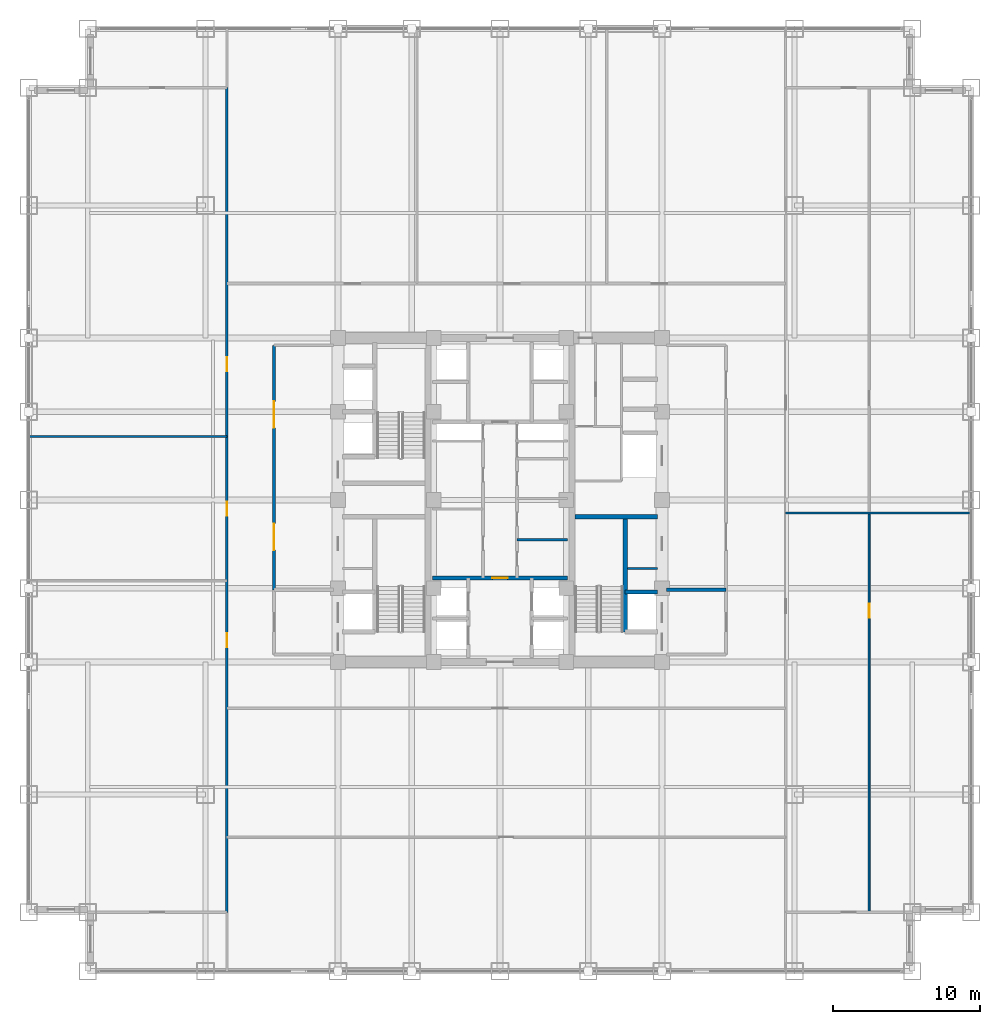
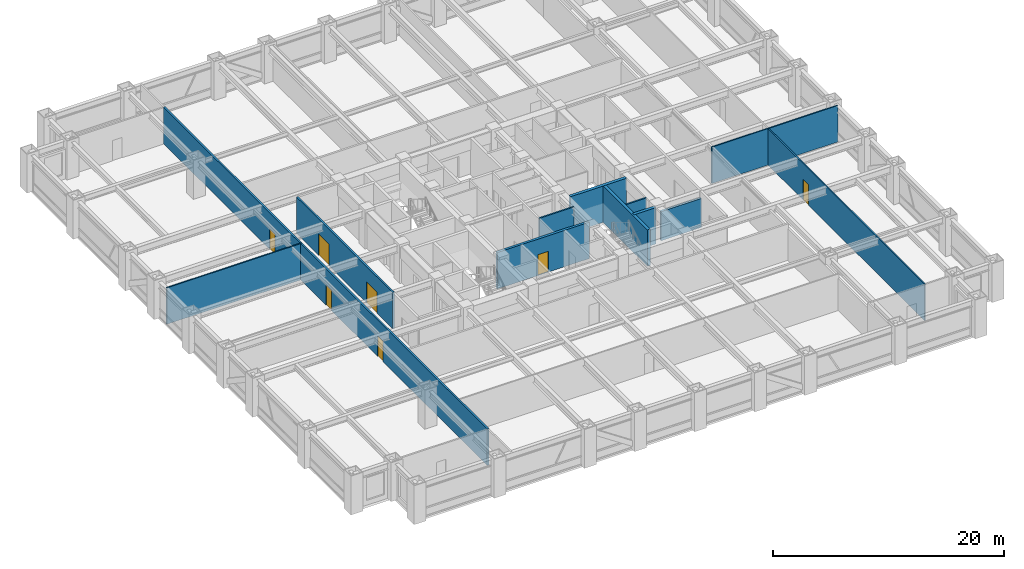
# One storey, part 24 of 28: 12 walls, 7 doors, 7 openings.
"""IFC4 building model written with IfcOpenShell, lengths in metres."""

from ifc_helpers import new_model, si_unit, direction, frame, frame_2d, origin, place, context, subcontext, project, spatial, rectangle, extrude, source, transform, mapped, material, layer, layer_set, type_object, element, fill, save


model = new_model("IFC4")

# Units and contexts
model_context = context("Model", 3, precision=1e-05, world=origin(), true_north=direction((0.0, 1.0)))
body_context = subcontext(model_context, "Body", "Model", "MODEL_VIEW")
ifc_project = project(units=[si_unit("LENGTHUNIT", "METRE"), si_unit("AREAUNIT", "SQUARE_METRE"), si_unit("VOLUMEUNIT", "CUBIC_METRE"), si_unit("PLANEANGLEUNIT", "RADIAN"), si_unit("MASSUNIT", "GRAM", prefix="KILO")], contexts=[model_context])

# Site, building, storey
site_placement = place(None, origin())
site = spatial("IfcSite", under=ifc_project, at=site_placement, CompositionType="ELEMENT")
building_placement = place(site_placement, origin())
building = spatial("IfcBuilding", under=site, at=building_placement, Name="Khorayat Bourse Tower", CompositionType="ELEMENT")
storey_placement = place(building_placement, frame((0.0, 0.0, 124.199951171875)))
storey = spatial("IfcBuildingStorey", under=building, at=storey_placement, Name="L28", CompositionType="ELEMENT", Elevation=124.199951171875)

# Walls
ifc_material_1 = material(Name="Concrete C50/60", Category="concrete")
ifc_layer_1 = layer(ifc_material_1, 0.300048828125)
ifc_layer_set_1 = layer_set([ifc_layer_1], Name="Concrete C50/60")
wall_type_1 = type_object("IfcWallType", Name="WAL-SHAFT-300", PredefinedType="SHEAR", material=ifc_layer_set_1)
shared_shape_1 = source(origin(), body_context, "Body", "SweptSolid", [
    extrude(rectangle(XDim=5.599853515625, YDim=0.300048828125, at=frame_2d((2.7998046875, 0.0))), origin(), (0.0, 0.0, 1.0), 3.840087890625),
])
wall_1_placement = place(storey_placement, frame((5.10009765625, -1.14990234375, 0.0), z_axis=(0.0, 0.0, 1.0), x_axis=(1.0, 0.0, 0.0)))
element("IfcWall", 1, at=wall_1_placement, inside=storey, type_object=wall_type_1, Name="L28 Core Shear Wall ST3-DIV", PredefinedType="SHEAR", context=body_context, shape_type="MappedRepresentation", body=[
    mapped(shared_shape_1, transform((0.0, 0.0, 0.0), scale=1.0)),
])
shared_shape_2 = source(origin(), body_context, "Body", "SweptSolid", [
    extrude(rectangle(XDim=7.800048828125, YDim=0.300048828125, at=frame_2d((3.89990234375, 0.0))), origin(), (0.0, 0.0, 1.0), 3.840087890625),
])
wall_2_placement = place(storey_placement, frame((8.5, -8.949951171875, 0.0), z_axis=(0.0, 0.0, 1.0), x_axis=(0.0, 1.0, 0.0)))
element("IfcWall", 2, at=wall_2_placement, inside=storey, type_object=wall_type_1, Name="L28 Partition WAL-L28-EPIER-SP", PredefinedType="SHEAR", context=body_context, shape_type="MappedRepresentation", body=[
    mapped(shared_shape_2, transform((0.0, 0.0, 0.0), scale=1.0)),
])
shared_shape_3 = source(origin(), body_context, "Body", "SweptSolid", [
    extrude(rectangle(XDim=2.199951171875, YDim=0.300048828125, at=frame_2d((1.10009765625, 0.0))), origin(), (0.0, 0.0, 1.0), 3.840087890625),
])
wall_3_placement = place(storey_placement, frame((8.5, -6.25, 0.0), z_axis=(0.0, 0.0, 1.0), x_axis=(1.0, 0.0, 0.0)))
element("IfcWall", 3, at=wall_3_placement, inside=storey, type_object=wall_type_1, Name="L28 Partition WAL-L28-EPIER-FF2N", PredefinedType="SHEAR", context=body_context, shape_type="MappedRepresentation", body=[
    mapped(shared_shape_3, transform((0.0, 0.0, 0.0), scale=1.0)),
])
ifc_material_2 = material(Name="Gypsum plasterboard twin-frame partition")
ifc_layer_2 = layer(ifc_material_2, 0.14990234375)
ifc_layer_set_2 = layer_set([ifc_layer_2], Name="Gypsum plasterboard twin-frame partition")
wall_type_2 = type_object("IfcWallType", Name="WAL-PART-SUITE-150", PredefinedType="PARTITIONING", material=ifc_layer_set_2)
shared_shape_4 = source(origin(), body_context, "Body", "SweptSolid", [
    extrude(rectangle(XDim=2.050048828125, YDim=0.14990234375, at=frame_2d((1.02490234375, 0.0))), origin(), (0.0, 0.0, 1.0), 3.840087890625),
])
wall_4_placement = place(storey_placement, frame((8.64990234375, -4.64990234375, 0.0), z_axis=(0.0, 0.0, 1.0), x_axis=(1.0, 0.0, 0.0)))
element("IfcWall", 4, at=wall_4_placement, inside=storey, type_object=wall_type_2, Name="L28 Partition WAL-L28-ESRV-S0", PredefinedType="PARTITIONING", context=body_context, shape_type="MappedRepresentation", body=[
    mapped(shared_shape_4, transform((0.0, 0.0, 0.0), scale=1.0)),
])
ifc_material_3 = material(Name="Aerated concrete blockwork", Category="masonry")
ifc_layer_3 = layer(ifc_material_3, 0.219970703125)
ifc_layer_set_3 = layer_set([ifc_layer_3], Name="Aerated concrete blockwork")
wall_type_3 = type_object("IfcWallType", Name="WAL-PART-FF-220", PredefinedType="PARTITIONING", material=ifc_layer_set_3)
shared_shape_5 = source(origin(), body_context, "Body", "SweptSolid", [
    extrude(rectangle(XDim=4.050048828125, YDim=0.219970703125, at=frame_2d((2.02490234375, 0.0))), origin(), (0.0, 0.0, 1.0), 3.067138671875),
])
wall_5_placement = place(storey_placement, frame((11.300048828125, -6.10009765625, 0.0), z_axis=(0.0, 0.0, 1.0), x_axis=(1.0, 0.0, 0.0)))
element("IfcWall", 5, at=wall_5_placement, inside=storey, type_object=wall_type_3, Name="L28 Partition WAL-L28-FFLE-N", PredefinedType="PARTITIONING", context=body_context, shape_type="MappedRepresentation", body=[
    mapped(shared_shape_5, transform((0.0, 0.0, 0.0), scale=1.0)),
])

# Wall, openings, doors
ifc_material_4 = material(Name="Gypsum plasterboard acoustic stud wall")
ifc_layer_4 = layer(ifc_material_4, 0.179931640625)
ifc_layer_set_4 = layer_set([ifc_layer_4], Name="Gypsum plasterboard acoustic stud wall")
wall_type_4 = type_object("IfcWallType", Name="WAL-PART-CORR-180", PredefinedType="PARTITIONING", material=ifc_layer_set_4)
shared_shape_6 = source(origin(), body_context, "Body", "SweptSolid", [
    extrude(rectangle(XDim=16.60009765625, YDim=0.179931640625, at=frame_2d((8.300048828125, 0.0))), origin(), (0.0, 0.0, 1.0), 3.840087890625),
])
wall_6_placement = place(storey_placement, frame((-15.35009765625, -6.10009765625, 0.0), z_axis=(0.0, 0.0, 1.0), x_axis=(0.0, 1.0, 0.0)))
wall_6 = element("IfcWall", 6, at=wall_6_placement, inside=storey, type_object=wall_type_4, Name="L28 Partition WAL-L28-WLOB-W", PredefinedType="PARTITIONING", context=body_context, shape_type="MappedRepresentation", body=[
    mapped(shared_shape_6, transform((0.0, 0.0, 0.0), scale=1.0)),
])
shared_shape_7 = source(origin(), body_context, "Body", "SweptSolid", [
    extrude(rectangle(XDim=1.800048828125, YDim=2.25, at=frame_2d((0.89990234375, 1.125))), frame((0.0, 0.099853515625, 0.0), z_axis=(0.0, -1.0, 0.0), x_axis=(1.0, 0.0, 0.0)), (0.0, 0.0, 1.0), 0.199951171875),
])
opening_1_placement = place(wall_6_placement, frame((2.699951171875, 0.0, 0.0)))
opening_1 = element("IfcOpeningElement", 7, at=opening_1_placement, cuts=wall_6, Name="Opening DI-03", PredefinedType="OPENING", context=body_context, shape_type="MappedRepresentation", body=[
    mapped(shared_shape_7, transform((0.0, 0.0, 0.0), scale=1.0)),
])
opening_2_placement = place(wall_6_placement, frame((11.0, 0.0, 0.0)))
opening_2 = element("IfcOpeningElement", 8, at=opening_2_placement, cuts=wall_6, Name="Opening DI-03", PredefinedType="OPENING", context=body_context, shape_type="MappedRepresentation", body=[
    mapped(shared_shape_7, transform((0.0, 0.0, 0.0), scale=1.0)),
])
ifc_material_5 = material(Name="Fire-rated hardwood vision-panel double leaf", Category="wood")
door_type_1 = type_object("IfcDoorType", Name="DR-INT-CORR-1800", OperationType="NOTDEFINED", PredefinedType="DOOR", material=ifc_material_5)
shared_shape_8 = source(origin(), body_context, "Body", "SweptSolid", [
    extrude(rectangle(XDim=1.800048828125, YDim=2.25, at=frame_2d((0.89990234375, 1.125))), frame((0.0, 0.02490234375, 0.0), z_axis=(0.0, -1.0, 0.0), x_axis=(1.0, 0.0, 0.0)), (0.0, 0.0, 1.0), 0.050048828125),
])
door_1_placement = place(opening_1_placement, origin())
door_1 = element("IfcDoor", 9, at=door_1_placement, inside=storey, type_object=door_type_1, Name="L28 West Core Lobby South Door", OperationType="SINGLE_SWING_LEFT", OverallHeight=2.25, OverallWidth=1.800048828125, PredefinedType="DOOR", context=body_context, shape_type="MappedRepresentation", body=[
    mapped(shared_shape_8, transform((0.0, 0.0, 0.0), scale=1.0)),
])
fill(opening_1, door_1)
door_2_placement = place(opening_2_placement, origin())
door_2 = element("IfcDoor", 10, at=door_2_placement, inside=storey, type_object=door_type_1, Name="L28 West Core Lobby North Door", OperationType="SINGLE_SWING_RIGHT", OverallHeight=2.25, OverallWidth=1.800048828125, PredefinedType="DOOR", context=body_context, shape_type="MappedRepresentation", body=[
    mapped(shared_shape_8, transform((0.0, 0.0, 0.0), scale=1.0)),
])
fill(opening_2, door_2)

# Wall, opening, door
shared_shape_9 = source(origin(), body_context, "Body", "SweptSolid", [
    extrude(rectangle(XDim=9.2001953125, YDim=0.25, at=frame_2d((4.60009765625, 0.0))), origin(), (0.0, 0.0, 1.0), 3.840087890625),
])
wall_7_placement = place(storey_placement, frame((-4.60009765625, -5.300048828125, 0.0), z_axis=(0.0, 0.0, 1.0), x_axis=(1.0, 0.0, 0.0)))
wall_7 = element("IfcWall", 11, at=wall_7_placement, inside=storey, type_object=wall_type_1, Name="L28 Partition WAL-L28-B1-N", PredefinedType="SHEAR", context=body_context, shape_type="MappedRepresentation", body=[
    mapped(shared_shape_9, transform((0.0, 0.0, 0.0), scale=1.0)),
])
shared_shape_10 = source(origin(), body_context, "Body", "SweptSolid", [
    extrude(rectangle(XDim=1.050048828125, YDim=2.199951171875, at=frame_2d((0.52490234375, 1.10009765625))), frame((0.0, 0.135009765625, 0.0), z_axis=(0.0, -1.0, 0.0), x_axis=(1.0, 0.0, 0.0)), (0.0, 0.0, 1.0), 0.27001953125),
])
opening_3_placement = place(wall_7_placement, frame((4.074951171875, 0.0, 0.0)))
opening_3 = element("IfcOpeningElement", 12, at=opening_3_placement, cuts=wall_7, Name="Opening DI-04", PredefinedType="OPENING", context=body_context, shape_type="MappedRepresentation", body=[
    mapped(shared_shape_10, transform((0.0, 0.0, 0.0), scale=1.0)),
])
ifc_material_6 = material(Name="Fire-rated oak veneer suite entrance door")
door_type_2 = type_object("IfcDoorType", Name="DR-INT-SUITE-1050", OperationType="NOTDEFINED", PredefinedType="DOOR", material=ifc_material_6)
shared_shape_11 = source(origin(), body_context, "Body", "SweptSolid", [
    extrude(rectangle(XDim=1.050048828125, YDim=2.199951171875, at=frame_2d((0.52490234375, 1.10009765625))), frame((0.0, 0.02490234375, 0.0), z_axis=(0.0, -1.0, 0.0), x_axis=(1.0, 0.0, 0.0)), (0.0, 0.0, 1.0), 0.050048828125),
])
door_3_placement = place(opening_3_placement, origin())
door_3 = element("IfcDoor", 13, at=door_3_placement, inside=storey, type_object=door_type_2, Name="L28 Core Spine South Door", OperationType="SINGLE_SWING_LEFT", OverallHeight=2.199951171875, OverallWidth=1.050048828125, PredefinedType="DOOR", context=body_context, shape_type="MappedRepresentation", body=[
    mapped(shared_shape_11, transform((0.0, 0.0, 0.0), scale=1.0)),
])
fill(opening_3, door_3)

# Walls
ifc_material_7 = material(Name="Moisture-resistant masonry partition", Category="masonry")
ifc_layer_5 = layer(ifc_material_7, 0.139892578125)
ifc_layer_set_5 = layer_set([ifc_layer_5], Name="Moisture-resistant masonry partition")
wall_type_5 = type_object("IfcWallType", Name="WAL-PART-WET-140", PredefinedType="PARTITIONING", material=ifc_layer_set_5)
shared_shape_12 = source(origin(), body_context, "Body", "SweptSolid", [
    extrude(rectangle(XDim=3.4501953125, YDim=0.139892578125, at=frame_2d((1.72509765625, 0.0))), origin(), (0.0, 0.0, 1.0), 3.840087890625),
])
wall_8_placement = place(storey_placement, frame((1.14990234375, -2.699951171875, 0.0), z_axis=(0.0, 0.0, 1.0), x_axis=(1.0, 0.0, 0.0)))
element("IfcWall", 14, at=wall_8_placement, inside=storey, type_object=wall_type_5, Name="L28 Partition WAL-L28-CME-D1", PredefinedType="PARTITIONING", context=body_context, shape_type="MappedRepresentation", body=[
    mapped(shared_shape_12, transform((0.0, 0.0, 0.0), scale=1.0)),
])
ifc_material_8 = material(Name="Gypsum plasterboard partition")
ifc_layer_6 = layer(ifc_material_8, 0.125)
ifc_layer_set_6 = layer_set([ifc_layer_6], Name="Gypsum plasterboard partition")
wall_type_6 = type_object("IfcWallType", Name="WAL-PART-ROOM-125", PredefinedType="PARTITIONING", material=ifc_layer_set_6)
shared_shape_13 = source(origin(), body_context, "Body", "SweptSolid", [
    extrude(rectangle(XDim=12.60009765625, YDim=0.125, at=frame_2d((6.300048828125, 0.0))), origin(), (0.0, 0.0, 1.0), 3.840087890625),
])
wall_9_placement = place(storey_placement, frame((19.39990234375, -0.87890625, 0.0), z_axis=(0.0, 0.0, 1.0), x_axis=(1.0, 0.0, 0.0)))
element("IfcWall", 15, at=wall_9_placement, inside=storey, type_object=wall_type_6, Name="L28 Partition WAL-L28-EDV-1", PredefinedType="PARTITIONING", context=body_context, shape_type="MappedRepresentation", body=[
    mapped(shared_shape_13, transform((0.0, 0.0, 0.0), scale=1.0)),
])

# Wall, openings, doors
shared_shape_14 = source(origin(), body_context, "Body", "SweptSolid", [
    extrude(rectangle(XDim=56.0, YDim=0.179931640625, at=frame_2d((28.0, 0.0))), origin(), (0.0, 0.0, 1.0), 3.840087890625),
])
wall_10_placement = place(storey_placement, frame((-18.550048828125, -28.0, 0.0), z_axis=(0.0, 0.0, 1.0), x_axis=(0.0, 1.0, 0.0)))
wall_10 = element("IfcWall", 16, at=wall_10_placement, inside=storey, type_object=wall_type_4, Name="L28 Partition WAL-L28-WCORR", PredefinedType="PARTITIONING", context=body_context, shape_type="MappedRepresentation", body=[
    mapped(shared_shape_14, transform((0.0, 0.0, 0.0), scale=1.0)),
])
shared_shape_15 = source(origin(), body_context, "Body", "SweptSolid", [
    extrude(rectangle(XDim=0.949951171875, YDim=2.14990234375, at=frame_2d((0.47509765625, 1.074951171875))), frame((0.0, 0.099853515625, 0.0), z_axis=(0.0, -1.0, 0.0), x_axis=(1.0, 0.0, 0.0)), (0.0, 0.0, 1.0), 0.199951171875),
])
opening_4_placement = place(wall_10_placement, frame((18.00244140625, 0.0, 0.0)))
opening_4 = element("IfcOpeningElement", 17, at=opening_4_placement, cuts=wall_10, Name="Opening DI-05", PredefinedType="OPENING", context=body_context, shape_type="MappedRepresentation", body=[
    mapped(shared_shape_15, transform((0.0, 0.0, 0.0), scale=1.0)),
])
opening_5_placement = place(wall_10_placement, frame((26.9345703125, 0.0, 0.0)))
opening_5 = element("IfcOpeningElement", 18, at=opening_5_placement, cuts=wall_10, Name="Opening DI-05", PredefinedType="OPENING", context=body_context, shape_type="MappedRepresentation", body=[
    mapped(shared_shape_15, transform((0.0, 0.0, 0.0), scale=1.0)),
])
opening_6_placement = place(wall_10_placement, frame((36.73193359375, 0.0, 0.0)))
opening_6 = element("IfcOpeningElement", 19, at=opening_6_placement, cuts=wall_10, Name="Opening DI-05", PredefinedType="OPENING", context=body_context, shape_type="MappedRepresentation", body=[
    mapped(shared_shape_15, transform((0.0, 0.0, 0.0), scale=1.0)),
])
ifc_material_9 = material(Name="Acoustic oak veneer office door")
door_type_3 = type_object("IfcDoorType", Name="DR-INT-OFFICE-950", OperationType="NOTDEFINED", PredefinedType="DOOR", material=ifc_material_9)
shared_shape_16 = source(origin(), body_context, "Body", "SweptSolid", [
    extrude(rectangle(XDim=0.949951171875, YDim=2.14990234375, at=frame_2d((0.47509765625, 1.074951171875))), frame((0.0, 0.02490234375, 0.0), z_axis=(0.0, -1.0, 0.0), x_axis=(1.0, 0.0, 0.0)), (0.0, 0.0, 1.0), 0.050048828125),
])
door_4_placement = place(opening_4_placement, origin())
door_4 = element("IfcDoor", 20, at=door_4_placement, inside=storey, type_object=door_type_3, Name="L28 Clearing Records Archive Store W1 Door", OperationType="SINGLE_SWING_RIGHT", OverallHeight=2.14990234375, OverallWidth=0.949951171875, PredefinedType="DOOR", context=body_context, shape_type="MappedRepresentation", body=[
    mapped(shared_shape_16, transform((0.0, 0.0, 0.0), scale=1.0)),
])
fill(opening_4, door_4)
door_5_placement = place(opening_5_placement, origin())
door_5 = element("IfcDoor", 21, at=door_5_placement, inside=storey, type_object=door_type_3, Name="L28 Occupational First Aid Clinic W2 Door", OperationType="SINGLE_SWING_LEFT", OverallHeight=2.14990234375, OverallWidth=0.949951171875, PredefinedType="DOOR", context=body_context, shape_type="MappedRepresentation", body=[
    mapped(shared_shape_16, transform((0.0, 0.0, 0.0), scale=1.0)),
])
fill(opening_5, door_5)
door_6_placement = place(opening_6_placement, origin())
door_6 = element("IfcDoor", 22, at=door_6_placement, inside=storey, type_object=door_type_3, Name="L28 Staff Tea Pantry W3 Door", OperationType="SINGLE_SWING_RIGHT", OverallHeight=2.14990234375, OverallWidth=0.949951171875, PredefinedType="DOOR", context=body_context, shape_type="MappedRepresentation", body=[
    mapped(shared_shape_16, transform((0.0, 0.0, 0.0), scale=1.0)),
])
fill(opening_6, door_6)

# Wall
shared_shape_17 = source(origin(), body_context, "Body", "SweptSolid", [
    extrude(rectangle(XDim=13.449951171875, YDim=0.125, at=frame_2d((6.72509765625, 0.0))), origin(), (0.0, 0.0, 1.0), 3.840087890625),
])
wall_11_placement = place(storey_placement, frame((-32.0, 4.31396484375, 0.0), z_axis=(0.0, 0.0, 1.0), x_axis=(1.0, 0.0, 0.0)))
element("IfcWall", 23, at=wall_11_placement, inside=storey, type_object=wall_type_6, Name="L28 Partition WAL-L28-WDV-2", PredefinedType="PARTITIONING", context=body_context, shape_type="MappedRepresentation", body=[
    mapped(shared_shape_17, transform((0.0, 0.0, 0.0), scale=1.0)),
])

# Wall, opening, door
shared_shape_18 = source(origin(), body_context, "Body", "SweptSolid", [
    extrude(rectangle(XDim=27.12109375, YDim=0.125, at=frame_2d((13.560546875, 0.0))), origin(), (0.0, 0.0, 1.0), 3.840087890625),
])
wall_12_placement = place(storey_placement, frame((25.070068359375, -28.0, 0.0), z_axis=(0.0, 0.0, 1.0), x_axis=(0.0, 1.0, 0.0)))
wall_12 = element("IfcWall", 24, at=wall_12_placement, inside=storey, type_object=wall_type_6, Name="L28 Partition WAL-L28-EDP-1", PredefinedType="PARTITIONING", context=body_context, shape_type="MappedRepresentation", body=[
    mapped(shared_shape_18, transform((0.0, 0.0, 0.0), scale=1.0)),
])
shared_shape_19 = source(origin(), body_context, "Body", "SweptSolid", [
    extrude(rectangle(XDim=0.949951171875, YDim=2.14990234375, at=frame_2d((0.47509765625, 1.074951171875))), frame((0.0, 0.072509765625, 0.0), z_axis=(0.0, -1.0, 0.0), x_axis=(1.0, 0.0, 0.0)), (0.0, 0.0, 1.0), 0.14501953125),
])
opening_7_placement = place(wall_12_placement, frame((20.010498046875, 0.0, 0.0)))
opening_7 = element("IfcOpeningElement", 25, at=opening_7_placement, cuts=wall_12, Name="Opening DI-05", PredefinedType="OPENING", context=body_context, shape_type="MappedRepresentation", body=[
    mapped(shared_shape_19, transform((0.0, 0.0, 0.0), scale=1.0)),
])
door_7_placement = place(opening_7_placement, origin())
door_7 = element("IfcDoor", 26, at=door_7_placement, inside=storey, type_object=door_type_3, Name="L28 Market Reference Library E1B Door", OperationType="SINGLE_SWING_RIGHT", OverallHeight=2.14990234375, OverallWidth=0.949951171875, PredefinedType="DOOR", context=body_context, shape_type="MappedRepresentation", body=[
    mapped(shared_shape_16, transform((0.0, 0.0, 0.0), scale=1.0)),
])
fill(opening_7, door_7)

save(model, "model.ifc")
